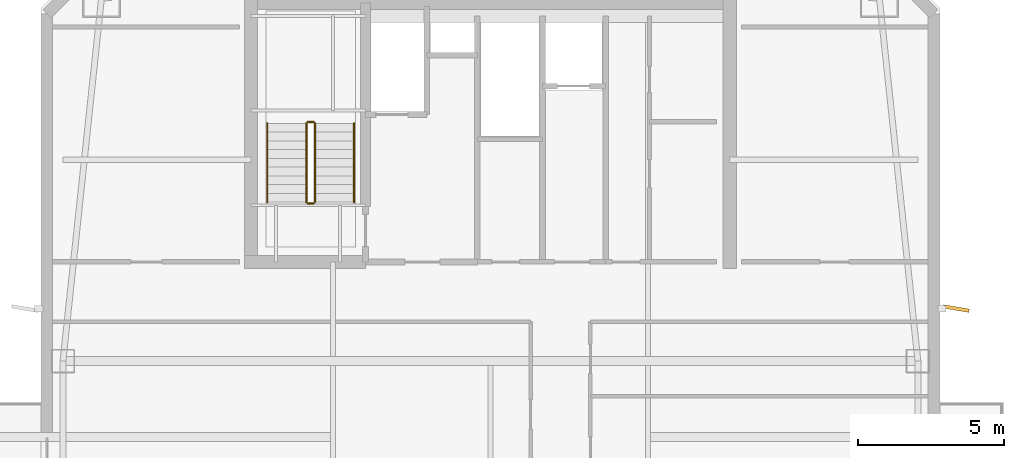
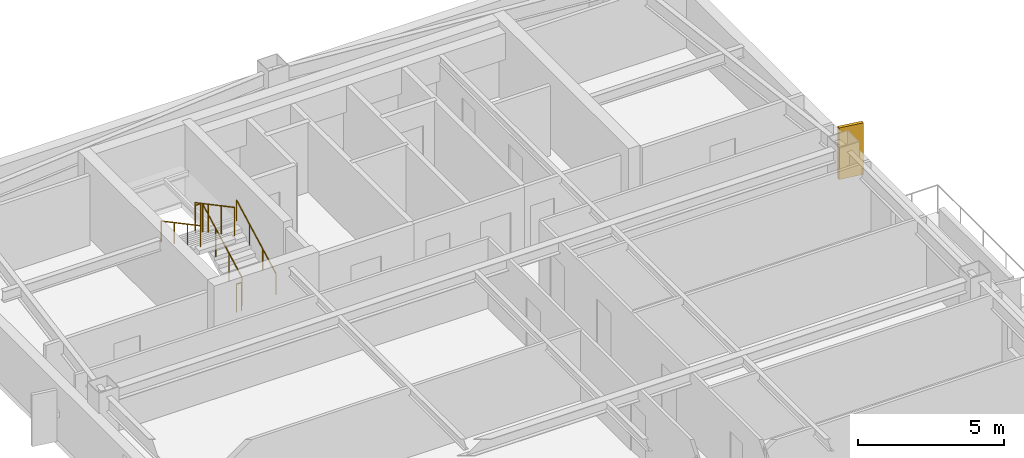
# One storey, part 7 of 7: 6 railings, 1 shading device.
"""IFC4 building model written with IfcOpenShell, lengths in metres."""

from ifc_helpers import new_model, si_unit, direction, frame, origin, origin_2d, place, context, subcontext, project, spatial, rectangle, circle, extrude, material, layer, layer_set, type_object, element, save


model = new_model("IFC4")

# Units and contexts
model_context = context("Model", 3, precision=1e-05, world=origin(), true_north=direction((0.0, 1.0)))
body_context = subcontext(model_context, "Body", "Model", "MODEL_VIEW")
ifc_project = project(units=[si_unit("LENGTHUNIT", "METRE"), si_unit("AREAUNIT", "SQUARE_METRE"), si_unit("VOLUMEUNIT", "CUBIC_METRE"), si_unit("PLANEANGLEUNIT", "RADIAN"), si_unit("MASSUNIT", "GRAM", prefix="KILO")], contexts=[model_context])

# Site, building, storey
site_placement = place(None, origin())
site = spatial("IfcSite", under=ifc_project, at=site_placement, CompositionType="ELEMENT")
building_placement = place(site_placement, origin())
building = spatial("IfcBuilding", under=site, at=building_placement, Name="Qiaolan Cultural Towers", CompositionType="ELEMENT")
storey_placement = place(building_placement, frame((0.0, 0.0, 266.39990234375)))
storey = spatial("IfcBuildingStorey", under=building, at=storey_placement, Name="L73", CompositionType="ELEMENT", Elevation=266.39990234375)

# Railings
ifc_material_1 = material(Name="Galvanized Painted Steel Stair Guardrail", Category="steel")
railing_type_1 = type_object("IfcRailingType", Name="RL-STAIR-GRD", PredefinedType="GUARDRAIL", material=ifc_material_1)
railing_1_placement = place(storey_placement, frame((23.989990234375, 48.449951171875, 0.16015625)))
element("IfcRailing", 1, at=railing_1_placement, inside=storey, type_object=railing_type_1, Name="L73 ST-W2 stair guard 1", PredefinedType="GUARDRAIL", context=body_context, shape_type="SweptSolid", body=[
    extrude(circle(Radius=0.02392578125, at=origin_2d()), frame((0.0, 0.0, 1.17578125), z_axis=(0.0, 0.882357358376, 0.470579952952), x_axis=(-1.0, 0.0, 0.0)), (0.0, 0.0, 1.0), 3.059814453125),
    extrude(circle(Radius=0.02099609375, at=origin_2d()), origin(), (0.0, 0.0, 1.0), 1.15185546875),
    extrude(circle(Radius=0.02099609375, at=origin_2d()), frame((0.0, 0.89990234375, 0.47998046875)), (0.0, 0.0, 1.0), 1.15185546875),
    extrude(circle(Radius=0.02099609375, at=origin_2d()), frame((0.0, 1.800048828125, 0.9599609375)), (0.0, 0.0, 1.0), 1.15185546875),
    extrude(circle(Radius=0.02099609375, at=origin_2d()), frame((0.0, 2.699951171875, 1.43994140625)), (0.0, 0.0, 1.0), 1.15185546875),
])
railing_2_placement = place(storey_placement, frame((23.93994140625, 51.199951171875, 1.60009765625)))
element("IfcRailing", 2, at=railing_2_placement, inside=storey, type_object=railing_type_1, Name="L73 ST-W2 stair guard 2", PredefinedType="GUARDRAIL", context=body_context, shape_type="SweptSolid", body=[
    extrude(circle(Radius=0.02392578125, at=origin_2d()), frame((0.0, 0.0, 1.17578125), z_axis=(-1.0, 0.0, 0.0), x_axis=(0.0, -1.0, 0.0)), (0.0, 0.0, 1.0), 0.199951171875),
    extrude(circle(Radius=0.02099609375, at=origin_2d()), origin(), (0.0, 0.0, 1.0), 1.15185546875),
    extrude(circle(Radius=0.02099609375, at=origin_2d()), frame((-0.199951171875, 0.0, 0.0)), (0.0, 0.0, 1.0), 1.15185546875),
])
railing_3_placement = place(storey_placement, frame((23.68994140625, 51.14990234375, 1.760009765625)))
element("IfcRailing", 3, at=railing_3_placement, inside=storey, type_object=railing_type_1, Name="L73 ST-W2 stair guard 3", PredefinedType="GUARDRAIL", context=body_context, shape_type="SweptSolid", body=[
    extrude(circle(Radius=0.02392578125, at=origin_2d()), frame((0.0, 0.0, 1.17578125), z_axis=(0.0, -0.882324228566, 0.470642067484), x_axis=(1.0, 0.0, 0.0)), (0.0, 0.0, 1.0), 3.06005859375),
    extrude(circle(Radius=0.02099609375, at=origin_2d()), origin(), (0.0, 0.0, 1.0), 1.15185546875),
    extrude(circle(Radius=0.02099609375, at=origin_2d()), frame((0.0, -0.89990234375, 0.47998046875)), (0.0, 0.0, 1.0), 1.15185546875),
    extrude(circle(Radius=0.02099609375, at=origin_2d()), frame((0.0, -1.800048828125, 0.960205078125)), (0.0, 0.0, 1.0), 1.15185546875),
    extrude(circle(Radius=0.02099609375, at=origin_2d()), frame((0.0, -2.699951171875, 1.440185546875)), (0.0, 0.0, 1.0), 1.15185546875),
])
railing_4_placement = place(storey_placement, frame((23.93994140625, 48.39990234375, 0.0)))
element("IfcRailing", 4, at=railing_4_placement, inside=storey, type_object=railing_type_1, Name="L73 ST-W2 stair guard 4", PredefinedType="GUARDRAIL", context=body_context, shape_type="SweptSolid", body=[
    extrude(circle(Radius=0.02392578125, at=origin_2d()), frame((0.0, 0.0, 1.17578125), z_axis=(-1.0, 0.0, 0.0), x_axis=(0.0, -1.0, 0.0)), (0.0, 0.0, 1.0), 0.199951171875),
    extrude(circle(Radius=0.02099609375, at=origin_2d()), origin(), (0.0, 0.0, 1.0), 1.15185546875),
    extrude(circle(Radius=0.02099609375, at=origin_2d()), frame((-0.199951171875, 0.0, 0.0)), (0.0, 0.0, 1.0), 1.15185546875),
])
ifc_material_2 = material(Name="Stainless Steel S30408 Tubular Handrail", Category="steel")
railing_type_2 = type_object("IfcRailingType", Name="RL-STAIR-HR", PredefinedType="HANDRAIL", material=ifc_material_2)
railing_5_placement = place(storey_placement, frame((25.330078125, 48.449951171875, 0.16015625)))
element("IfcRailing", 5, at=railing_5_placement, inside=storey, type_object=railing_type_2, Name="L73 ST-W2 stair handrail 1", PredefinedType="HANDRAIL", context=body_context, shape_type="SweptSolid", body=[
    extrude(circle(Radius=0.02392578125, at=origin_2d()), frame((0.0, 0.0, 0.8759765625), z_axis=(0.0, 0.882357358376, 0.470579952952), x_axis=(-1.0, 0.0, 0.0)), (0.0, 0.0, 1.0), 3.059814453125),
    extrude(circle(Radius=0.02099609375, at=origin_2d()), origin(), (0.0, 0.0, 1.0), 0.851806640625),
    extrude(circle(Radius=0.02099609375, at=origin_2d()), frame((0.0, 0.89990234375, 0.47998046875)), (0.0, 0.0, 1.0), 0.851806640625),
    extrude(circle(Radius=0.02099609375, at=origin_2d()), frame((0.0, 1.800048828125, 0.9599609375)), (0.0, 0.0, 1.0), 0.851806640625),
    extrude(circle(Radius=0.02099609375, at=origin_2d()), frame((0.0, 2.699951171875, 1.43994140625)), (0.0, 0.0, 1.0), 0.851806640625),
])
railing_6_placement = place(storey_placement, frame((22.35009765625, 51.14990234375, 1.760009765625)))
element("IfcRailing", 6, at=railing_6_placement, inside=storey, type_object=railing_type_2, Name="L73 ST-W2 stair handrail 2", PredefinedType="HANDRAIL", context=body_context, shape_type="SweptSolid", body=[
    extrude(circle(Radius=0.02392578125, at=origin_2d()), frame((0.0, 0.0, 0.8759765625), z_axis=(0.0, -0.882324228566, 0.470642067484), x_axis=(1.0, 0.0, 0.0)), (0.0, 0.0, 1.0), 3.06005859375),
    extrude(circle(Radius=0.02099609375, at=origin_2d()), origin(), (0.0, 0.0, 1.0), 0.851806640625),
    extrude(circle(Radius=0.02099609375, at=origin_2d()), frame((0.0, -0.89990234375, 0.47998046875)), (0.0, 0.0, 1.0), 0.851806640625),
    extrude(circle(Radius=0.02099609375, at=origin_2d()), frame((0.0, -1.800048828125, 0.960205078125)), (0.0, 0.0, 1.0), 0.851806640625),
    extrude(circle(Radius=0.02099609375, at=origin_2d()), frame((0.0, -2.699951171875, 1.440185546875)), (0.0, 0.0, 1.0), 0.851806640625),
])

# Shading device
ifc_material_3 = material(Name="Light Limestone Precast Vertical Fin", Category="masonry")
ifc_layer = layer(ifc_material_3, 0.1201171875)
ifc_layer_set = layer_set([ifc_layer], Name="Light Limestone Precast Vertical Fin")
shading_device_type = type_object("IfcShadingDeviceType", Name="SHD-FIN-WHITE", PredefinedType="USERDEFINED", material=ifc_layer_set)
shading_device_placement = place(storey_placement, frame((45.9599609375, 44.800048828125, 0.10009765625), z_axis=(0.0, 0.0, 1.0), x_axis=(0.98587406802, -0.167488274236, 0.0)))
element("IfcShadingDevice", 7, at=shading_device_placement, inside=storey, type_object=shading_device_type, Name="L73 T1 Expressive Precast Vertical Fin E3", ObjectType="FIN", PredefinedType="USERDEFINED", context=body_context, shape_type="SweptSolid", body=[
    extrude(rectangle(XDim=0.89990234375, YDim=0.1201171875, at=origin_2d()), origin(), (0.0, 0.0, 1.0), 2.159912109375),
])

save(model, "model.ifc")
